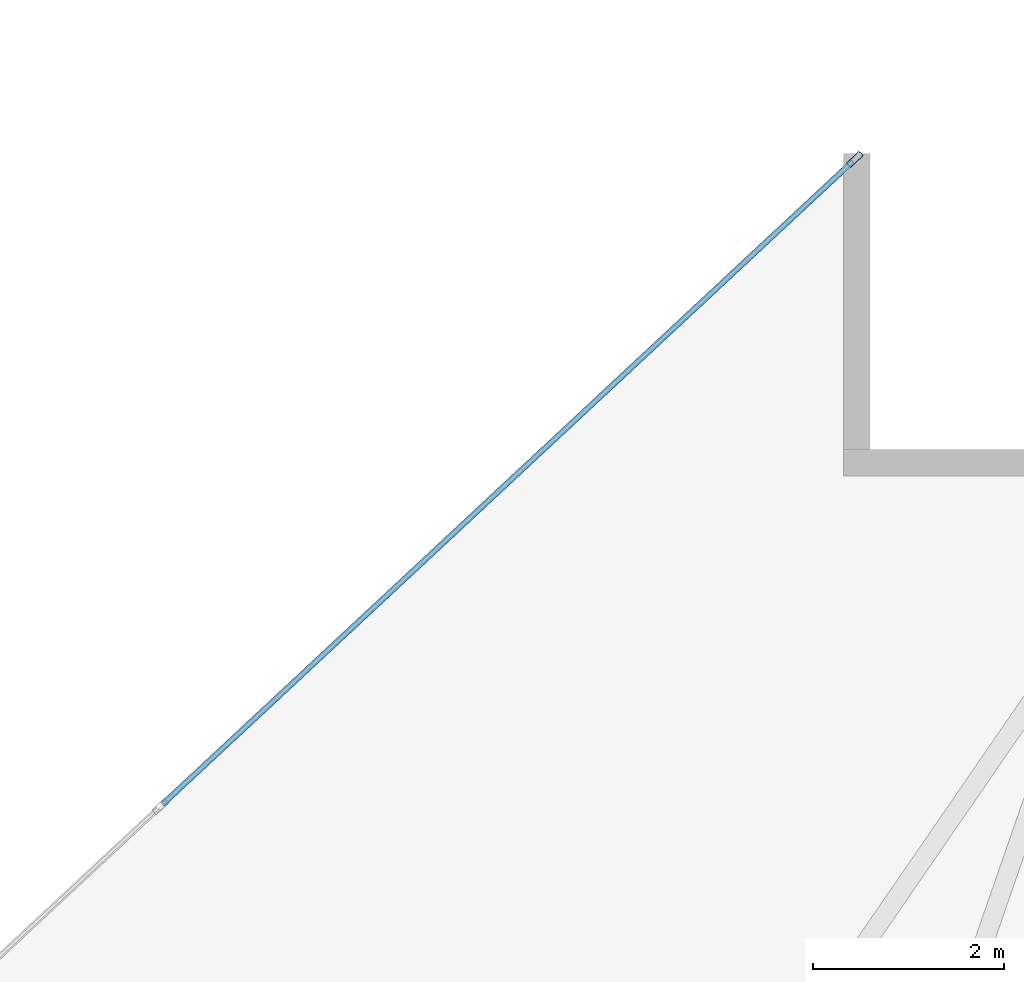
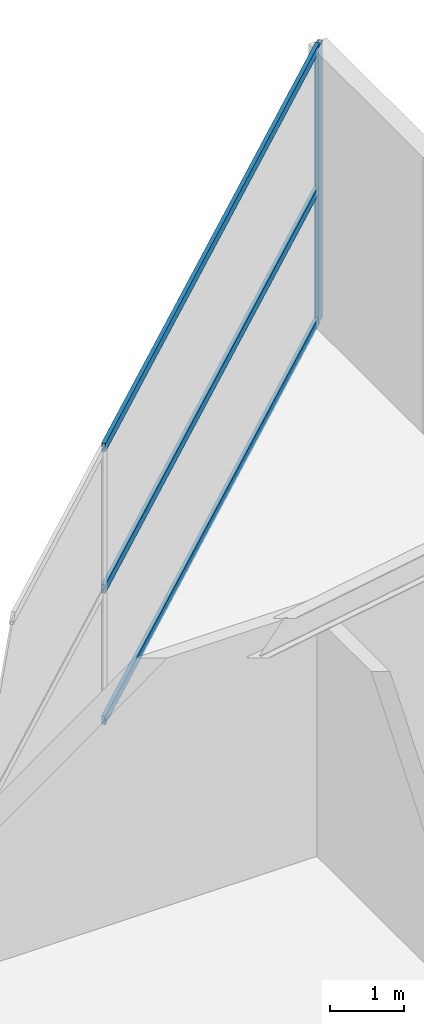
# One storey, part 8 of 16: 4 members, 1 element without a shape of its own.
"""IFC4 building model written with IfcOpenShell, lengths in metres."""

from ifc_helpers import new_model, si_unit, direction, frame, origin, origin_2d, place, context, subcontext, project, spatial, hollow_rectangle, extrude, material, layer, layer_set, material_profile, profile_set, type_object, element, aggregate, save


model = new_model("IFC4")

# Units and contexts
model_context = context("Model", 3, precision=1e-05, world=origin(), true_north=direction((0.0, 1.0)))
body_context = subcontext(model_context, "Body", "Model", "MODEL_VIEW")
ifc_project = project(units=[si_unit("LENGTHUNIT", "METRE"), si_unit("AREAUNIT", "SQUARE_METRE"), si_unit("VOLUMEUNIT", "CUBIC_METRE"), si_unit("PLANEANGLEUNIT", "RADIAN"), si_unit("MASSUNIT", "GRAM", prefix="KILO")], contexts=[model_context])

# Site, building, storey
site_placement = place(None, origin())
site = spatial("IfcSite", under=ifc_project, at=site_placement, CompositionType="ELEMENT")
building_placement = place(site_placement, origin())
building = spatial("IfcBuilding", under=site, at=building_placement, Name="Calvorn Quay Hotel", CompositionType="ELEMENT")
storey_placement = place(building_placement, frame((0.0, 0.0, 234.5)))
storey = spatial("IfcBuildingStorey", under=building, at=storey_placement, Name="L58", CompositionType="ELEMENT", Elevation=234.5)

# Curtain wall, members
ifc_material_1 = material(Name="Champagne Bronze Anodised Aluminium and Low-E Glass", Category="aluminium")
ifc_layer = layer(ifc_material_1, 0.219970703125)
ifc_layer_set = layer_set([ifc_layer], Name="CW-SYS-Z3")
curtain_wall_type = type_object("IfcCurtainWallType", Name="CW-SYS-Z3", PredefinedType="NOTDEFINED", material=ifc_layer_set)
curtain_wall_placement = place(storey_placement, origin())
curtain_wall = element("IfcCurtainWall", 1, at=curtain_wall_placement, inside=storey, type_object=curtain_wall_type, Name="Inner Court Curtain Wall L58-NE1", PredefinedType="NOTDEFINED")
ifc_material_2 = material(Name="Champagne Bronze Anodised Aluminium 6063-T6", Category="aluminium")
ifc_material_profile_1 = material_profile(ifc_material_2, hollow_rectangle(XDim=0.068115234375, YDim=0.18505859375, WallThickness=0.00390625, at=origin_2d()), Name="ALU-M185x68x4")
ifc_profile_set_1 = profile_set([ifc_material_profile_1], Name="Champagne Bronze Anodised Aluminium 6063-T6")
member_type_1 = type_object("IfcMemberType", Name="CW-SYS-Z3-MUL", PredefinedType="MULLION", material=ifc_profile_set_1)
member_1_placement = place(storey_placement, frame((36.177978515625, 37.9794921875, 0.0), z_axis=(0.0, 0.0, 1.0), x_axis=(0.681603655102, -0.731721570922, 0.0)))
member_1 = element("IfcMember", 2, at=member_1_placement, type_object=member_type_1, Name="CW-L58-NE1 mullion 1", PredefinedType="MULLION", context=body_context, shape_type="SweptSolid", body=[
    extrude(hollow_rectangle(XDim=0.068115234375, YDim=0.18505859375, WallThickness=0.00390625, at=origin_2d()), origin(), (0.0, 0.0, 1.0), 4.56005859375),
])
ifc_material_3 = material(Name="Champagne Bronze Anodised Aluminium 6063-T6", Category="aluminium")
ifc_material_profile_2 = material_profile(ifc_material_3, hollow_rectangle(XDim=0.05810546875, YDim=0.139892578125, WallThickness=0.003173828125, at=origin_2d()), Name="ALU-T140x58x3.2")
ifc_profile_set_2 = profile_set([ifc_material_profile_2], Name="Champagne Bronze Anodised Aluminium 6063-T6")
member_type_2 = type_object("IfcMemberType", Name="CW-SYS-Z3-TRN", PredefinedType="USERDEFINED", material=ifc_profile_set_2)
member_2_placement = place(storey_placement, frame((36.156005859375, 37.958984375, 0.030029296875), z_axis=(-0.731727475975, -0.681597315798, 0.0), x_axis=(0.681597315798, -0.731727475975, 0.0)))
member_2 = element("IfcMember", 3, at=member_2_placement, type_object=member_type_2, Name="CW-L58-NE1 transom 1.1", ObjectType="TRANSOM", PredefinedType="USERDEFINED", context=body_context, shape_type="SweptSolid", body=[
    extrude(hollow_rectangle(XDim=0.05810546875, YDim=0.139892578125, WallThickness=0.003173828125, at=origin_2d()), origin(), (0.0, 0.0, 1.0), 9.886474609375),
])
member_3_placement = place(storey_placement, frame((36.156005859375, 37.958984375, 2.199951171875), z_axis=(-0.731727475975, -0.681597315798, 0.0), x_axis=(0.681597315798, -0.731727475975, 0.0)))
member_3 = element("IfcMember", 4, at=member_3_placement, type_object=member_type_2, Name="CW-L58-NE1 transom 1.2", ObjectType="TRANSOM", PredefinedType="USERDEFINED", context=body_context, shape_type="SweptSolid", body=[
    extrude(hollow_rectangle(XDim=0.05810546875, YDim=0.139892578125, WallThickness=0.003173828125, at=origin_2d()), origin(), (0.0, 0.0, 1.0), 9.886474609375),
])
member_4_placement = place(storey_placement, frame((36.156005859375, 37.958984375, 4.530029296875), z_axis=(-0.731727475975, -0.681597315798, 0.0), x_axis=(0.681597315798, -0.731727475975, 0.0)))
member_4 = element("IfcMember", 5, at=member_4_placement, type_object=member_type_2, Name="CW-L58-NE1 transom 1.3", ObjectType="TRANSOM", PredefinedType="USERDEFINED", context=body_context, shape_type="SweptSolid", body=[
    extrude(hollow_rectangle(XDim=0.05810546875, YDim=0.139892578125, WallThickness=0.003173828125, at=origin_2d()), origin(), (0.0, 0.0, 1.0), 9.886474609375),
])
aggregate(curtain_wall, [member_1, member_2, member_3, member_4])

save(model, "model.ifc")
